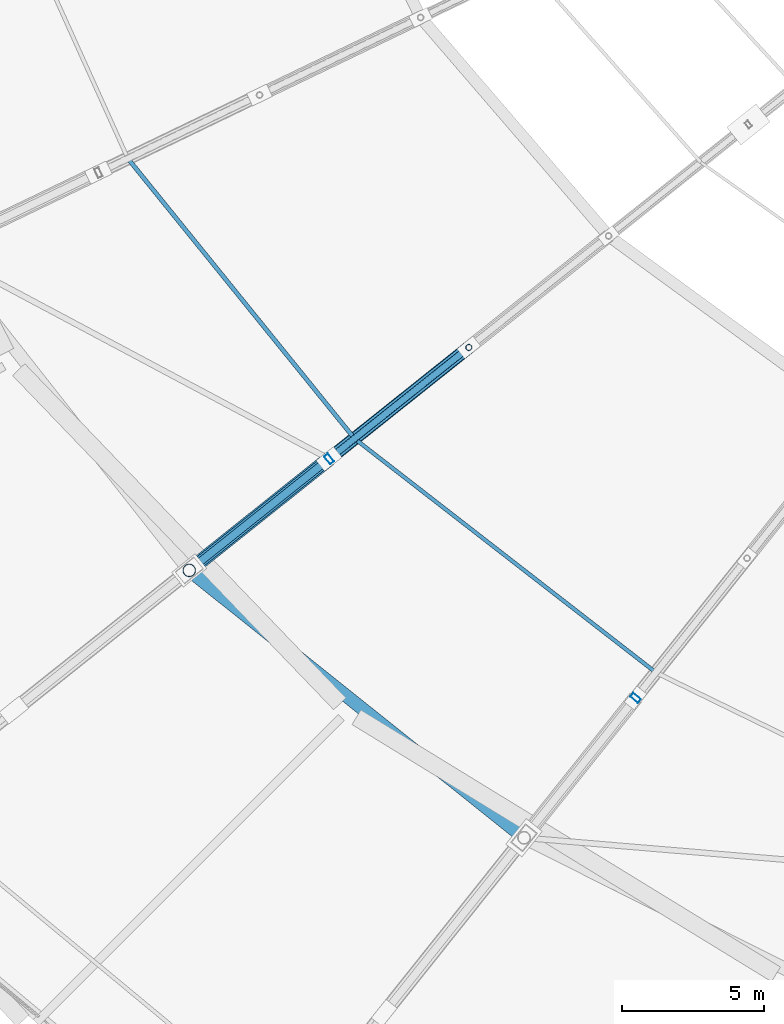
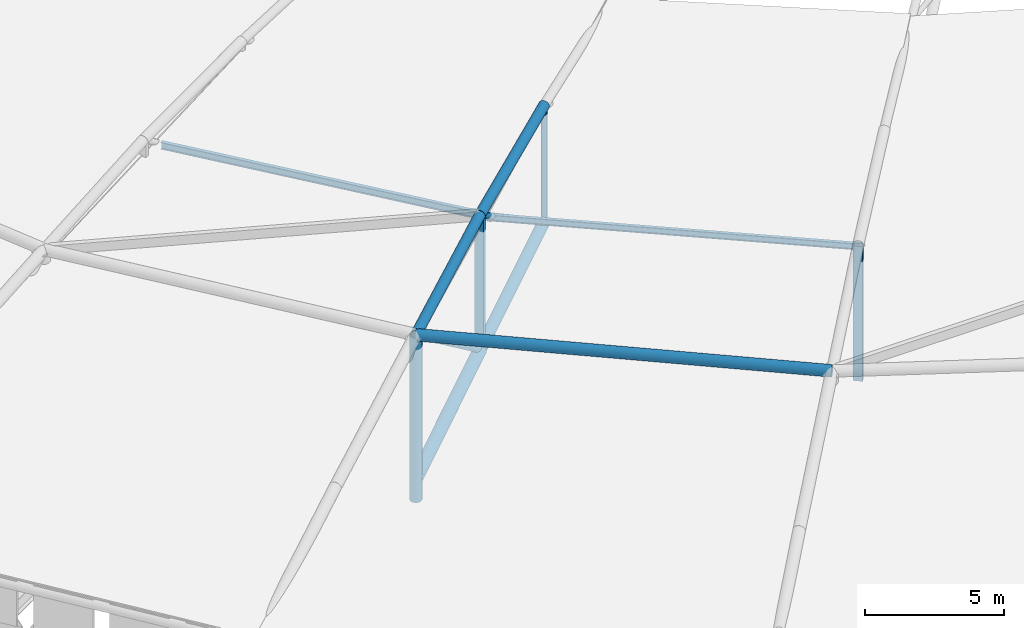
# One storey, part 9 of 108: 13 members.
"""IFC4 building model written with IfcOpenShell, lengths in metres."""

from ifc_helpers import new_model, si_unit, direction, frame, origin, origin_2d, place, context, subcontext, project, spatial, hollow_rectangle, hollow_circle, i_section, extrude, material, material_profile, profile_set, type_object, element, save


model = new_model("IFC4")

# Units and contexts
model_context = context("Model", 3, precision=1e-05, world=origin(), true_north=direction((0.0, 1.0)))
body_context = subcontext(model_context, "Body", "Model", "MODEL_VIEW")
ifc_project = project(units=[si_unit("LENGTHUNIT", "METRE"), si_unit("AREAUNIT", "SQUARE_METRE"), si_unit("VOLUMEUNIT", "CUBIC_METRE"), si_unit("PLANEANGLEUNIT", "RADIAN"), si_unit("MASSUNIT", "GRAM", prefix="KILO")], contexts=[model_context])

# Site, building, storey
site_placement = place(None, origin())
site = spatial("IfcSite", under=ifc_project, at=site_placement, CompositionType="ELEMENT")
building_placement = place(site_placement, origin())
building = spatial("IfcBuilding", under=site, at=building_placement, Name="Zevraka Park Crest Stadium", CompositionType="ELEMENT")
storey_placement = place(building_placement, frame((0.0, 0.0, 29.39990234375)))
storey = spatial("IfcBuildingStorey", under=building, at=storey_placement, Name="RF", CompositionType="ELEMENT", Elevation=29.39990234375)

# Members
ifc_material_1 = material(Name="Steel S355", Category="steel")
ifc_material_profile_1 = material_profile(ifc_material_1, i_section(OverallWidth=0.14990234375, OverallDepth=0.300048828125, WebThickness=0.007080078125, FlangeThickness=0.0107421875, at=origin_2d()), Name="IPE 300")
ifc_profile_set_1 = profile_set([ifc_material_profile_1], Name="Steel S355")
member_type_1 = type_object("IfcMemberType", Name="PR02", PredefinedType="PURLIN", material=ifc_profile_set_1)
member_1_placement = place(storey_placement, frame((51.589111328125, 69.416015625, 7.47314453125), z_axis=(0.629088704104, -0.777333520677, 0.0), x_axis=(0.777333520677, 0.629088704104, 0.0)))
element("IfcMember", 1, at=member_1_placement, inside=storey, type_object=member_type_1, Name="Canopy Roof Purlin PR02 OUTER-17-2", PredefinedType="PURLIN", context=body_context, shape_type="SweptSolid", body=[
    extrude(i_section(OverallWidth=0.14990234375, OverallDepth=0.300048828125, WebThickness=0.007080078125, FlangeThickness=0.0107421875, at=origin_2d()), origin(), (0.0, 0.0, 1.0), 12.697509765625),
])
ifc_material_2 = material(Name="Steel S355", Category="steel")
ifc_material_profile_2 = material_profile(ifc_material_2, i_section(OverallWidth=0.135009765625, OverallDepth=0.27001953125, WebThickness=0.006591796875, FlangeThickness=0.01025390625, at=origin_2d()), Name="IPE 270")
ifc_profile_set_2 = profile_set([ifc_material_profile_2], Name="Steel S355")
member_type_2 = type_object("IfcMemberType", Name="PR04", PredefinedType="PURLIN", material=ifc_profile_set_2)
member_2_placement = place(storey_placement, frame((59.576904296875, 59.5458984375, 7.488037109375), z_axis=(0.789959240492, -0.613159358048, 0.0), x_axis=(0.613159358048, 0.789959240492, 0.0)))
element("IfcMember", 2, at=member_2_placement, inside=storey, type_object=member_type_2, Name="Canopy Roof Purlin PR04 OUTER-18-2", PredefinedType="PURLIN", context=body_context, shape_type="SweptSolid", body=[
    extrude(i_section(OverallWidth=0.135009765625, OverallDepth=0.27001953125, WebThickness=0.006591796875, FlangeThickness=0.01025390625, at=origin_2d()), origin(), (0.0, 0.0, 1.0), 13.440185546875),
])
ifc_material_3 = material(Name="Steel S355", Category="steel")
ifc_material_profile_3 = material_profile(ifc_material_3, hollow_circle(Radius=0.25390625, WallThickness=0.030029296875, at=origin_2d()), Name="CHS 508.0x30")
ifc_profile_set_3 = profile_set([ifc_material_profile_3], Name="Steel S355")
member_type_3 = type_object("IfcMemberType", Name="TC01", PredefinedType="CHORD", material=ifc_profile_set_3)
member_3_placement = place(storey_placement, frame((53.75390625, 54.902099609375, 0.900146484375), z_axis=(0.759158693426, 0.605467913475, 0.238928198313), x_axis=(-0.623526977414, 0.781801834506, 0.0)))
element("IfcMember", 3, at=member_3_placement, inside=storey, type_object=member_type_3, Name="Roof Truss Bottom Chord TC01 T18-3", PredefinedType="CHORD", context=body_context, shape_type="SweptSolid", body=[
    extrude(hollow_circle(Radius=0.25390625, WallThickness=0.030029296875, at=origin_2d()), origin(), (0.0, 0.0, 1.0), 6.487548828125),
])
ifc_material_4 = material(Name="Steel S355", Category="steel")
ifc_material_profile_4 = material_profile(ifc_material_4, hollow_circle(Radius=0.228515625, WallThickness=0.02490234375, at=origin_2d()), Name="CHS 457.0x25")
ifc_profile_set_4 = profile_set([ifc_material_profile_4], Name="Steel S355")
member_type_4 = type_object("IfcMemberType", Name="TC02", PredefinedType="CHORD", material=ifc_profile_set_4)
member_4_placement = place(storey_placement, frame((53.75390625, 54.902099609375, 0.0), z_axis=(0.0, 0.0, 1.0), x_axis=(0.781847027868, 0.623470308046, 0.0)))
element("IfcMember", 4, at=member_4_placement, inside=storey, type_object=member_type_4, Name="Roof Truss Anchor Strut TC02 T18-2", PredefinedType="CHORD", context=body_context, shape_type="SweptSolid", body=[
    extrude(hollow_circle(Radius=0.228515625, WallThickness=0.02490234375, at=origin_2d()), origin(), (0.0, 0.0, 1.0), 7.2001953125),
])
member_5_placement = place(storey_placement, frame((58.678955078125, 58.830078125, 2.4501953125), z_axis=(0.760602740013, 0.606499354913, 0.231607435924), x_axis=(-0.623451415626, 0.781862092926, 0.0)))
element("IfcMember", 5, at=member_5_placement, inside=storey, type_object=member_type_4, Name="Roof Truss Bottom Chord TC02 T18-4", PredefinedType="CHORD", context=body_context, shape_type="SweptSolid", body=[
    extrude(hollow_circle(Radius=0.228515625, WallThickness=0.02490234375, at=origin_2d()), origin(), (0.0, 0.0, 1.0), 6.4765625),
])
member_6_placement = place(storey_placement, frame((53.75390625, 54.902099609375, 7.2001953125), z_axis=(0.781378161986, -0.624057824221, 0.0), x_axis=(0.624057824221, 0.781378161986, 0.0)))
element("IfcMember", 6, at=member_6_placement, inside=storey, type_object=member_type_4, Name="Roof Main Bowl-Rim Ring Chord TC02 18", PredefinedType="CHORD", context=body_context, shape_type="SweptSolid", body=[
    extrude(hollow_circle(Radius=0.228515625, WallThickness=0.02490234375, at=origin_2d()), origin(), (0.0, 0.0, 1.0), 15.0966796875),
])
ifc_material_5 = material(Name="Steel S355", Category="steel")
ifc_material_profile_5 = material_profile(ifc_material_5, hollow_circle(Radius=0.203125, WallThickness=0.02001953125, at=origin_2d()), Name="CHS 406.4x20")
ifc_profile_set_5 = profile_set([ifc_material_profile_5], Name="Steel S355")
member_type_5 = type_object("IfcMemberType", Name="TC03", PredefinedType="CHORD", material=ifc_profile_set_5)
member_7_placement = place(storey_placement, frame((53.75390625, 54.902099609375, 7.2001953125), z_axis=(0.769094032143, 0.613391854615, 0.179568378099), x_axis=(-0.623526977414, 0.781801834506, 0.0)))
element("IfcMember", 7, at=member_7_placement, inside=storey, type_object=member_type_5, Name="Roof Truss Top Chord TC03 T18-3", PredefinedType="CHORD", context=body_context, shape_type="SweptSolid", body=[
    extrude(hollow_circle(Radius=0.203125, WallThickness=0.02001953125, at=origin_2d()), origin(), (0.0, 0.0, 1.0), 6.40380859375),
])
member_8_placement = place(storey_placement, frame((58.678955078125, 58.830078125, 8.35009765625), z_axis=(0.777081243821, 0.619639199674, 0.110417402291), x_axis=(-0.623451415626, 0.781862092926, 0.0)))
element("IfcMember", 8, at=member_8_placement, inside=storey, type_object=member_type_5, Name="Roof Truss Top Chord TC03 T18-4", PredefinedType="CHORD", context=body_context, shape_type="SweptSolid", body=[
    extrude(hollow_circle(Radius=0.203125, WallThickness=0.02001953125, at=origin_2d()), origin(), (0.0, 0.0, 1.0), 6.339111328125),
])
ifc_material_6 = material(Name="Steel S355", Category="steel")
ifc_material_profile_6 = material_profile(ifc_material_6, hollow_circle(Radius=0.136474609375, WallThickness=0.012451171875, at=origin_2d()), Name="CHS 273.0x12.5")
ifc_profile_set_6 = profile_set([ifc_material_profile_6], Name="Steel S355")
member_type_6 = type_object("IfcMemberType", Name="WB01", PredefinedType="BRACE", material=ifc_profile_set_6)
member_9_placement = place(storey_placement, frame((58.678955078125, 58.830078125, 2.4501953125), z_axis=(-0.62423650288, -0.49786056089, 0.602049541468), x_axis=(0.623526977414, -0.781801834506, 0.0)))
element("IfcMember", 9, at=member_9_placement, inside=storey, type_object=member_type_6, Name="Roof Truss Web Diagonal WB01 T18-3", PredefinedType="BRACE", context=body_context, shape_type="SweptSolid", body=[
    extrude(hollow_circle(Radius=0.136474609375, WallThickness=0.012451171875, at=origin_2d()), origin(), (0.0, 0.0, 1.0), 7.8896484375),
])
ifc_material_7 = material(Name="Steel S355", Category="steel")
ifc_material_profile_7 = material_profile(ifc_material_7, hollow_circle(Radius=0.109619140625, WallThickness=0.010009765625, at=origin_2d()), Name="CHS 219.1x10")
ifc_profile_set_7 = profile_set([ifc_material_profile_7], Name="Steel S355")
member_type_7 = type_object("IfcMemberType", Name="WB02", PredefinedType="BRACE", material=ifc_profile_set_7)
member_10_placement = place(storey_placement, frame((63.60498046875, 62.758056640625, 3.9501953125), z_axis=(0.0, 0.0, 1.0), x_axis=(0.781847027868, 0.623470308046, 0.0)))
element("IfcMember", 10, at=member_10_placement, inside=storey, type_object=member_type_7, Name="Roof Truss Web Post WB02 T18-4", PredefinedType="BRACE", context=body_context, shape_type="SweptSolid", body=[
    extrude(hollow_circle(Radius=0.109619140625, WallThickness=0.010009765625, at=origin_2d()), origin(), (0.0, 0.0, 1.0), 5.099853515625),
])
ifc_material_8 = material(Name="Steel S355", Category="steel")
ifc_material_profile_8 = material_profile(ifc_material_8, hollow_circle(Radius=0.122314453125, WallThickness=0.012451171875, at=origin_2d()), Name="CHS 244.5x12.5")
ifc_profile_set_8 = profile_set([ifc_material_profile_8], Name="Steel S355")
member_type_8 = type_object("IfcMemberType", Name="WB07", PredefinedType="BRACE", material=ifc_profile_set_8)
member_11_placement = place(storey_placement, frame((63.60498046875, 62.758056640625, 3.9501953125), z_axis=(-0.641021240171, -0.51114589548, 0.572557109102), x_axis=(0.623451415626, -0.781862092926, 0.0)))
element("IfcMember", 11, at=member_11_placement, inside=storey, type_object=member_type_8, Name="Roof Truss Web Diagonal WB07 T18-4", PredefinedType="BRACE", context=body_context, shape_type="SweptSolid", body=[
    extrude(hollow_circle(Radius=0.122314453125, WallThickness=0.012451171875, at=origin_2d()), origin(), (0.0, 0.0, 1.0), 7.6845703125),
])
ifc_material_9 = material(Name="Steel S355", Category="steel")
ifc_material_profile_9 = material_profile(ifc_material_9, hollow_rectangle(XDim=0.175048828125, YDim=0.35009765625, WallThickness=0.012451171875, at=origin_2d()), Name="RHS 350x175x12.5")
ifc_profile_set_9 = profile_set([ifc_material_profile_9], Name="Steel S355")
member_type_9 = type_object("IfcMemberType", Name="WB09", PredefinedType="BRACE", material=ifc_profile_set_9)
for number, where, z_axis, x_axis, name in (
    (12, (58.678955078125, 58.830078125, 2.4501953125), (0.0, 0.0, 1.0), (0.781847027868, 0.623470308046, 0.0), "Roof Truss Web Post WB09 T18-3"),
    (13, (69.47802734375, 50.406982421875, 2.4501953125), (0.0, 0.0, 1.0), (0.623470308046, 0.781847027868, 0.0), "Roof Truss Web Post WB09 T19-3"),
):
    element("IfcMember", number, at=place(storey_placement, frame(where, z_axis=z_axis, x_axis=x_axis)), inside=storey, type_object=member_type_9, Name=name, PredefinedType="BRACE", context=body_context, shape_type="SweptSolid", body=[
        extrude(hollow_rectangle(XDim=0.175048828125, YDim=0.35009765625, WallThickness=0.012451171875, at=origin_2d()), origin(), (0.0, 0.0, 1.0), 5.89990234375),
    ])

save(model, "model.ifc")
